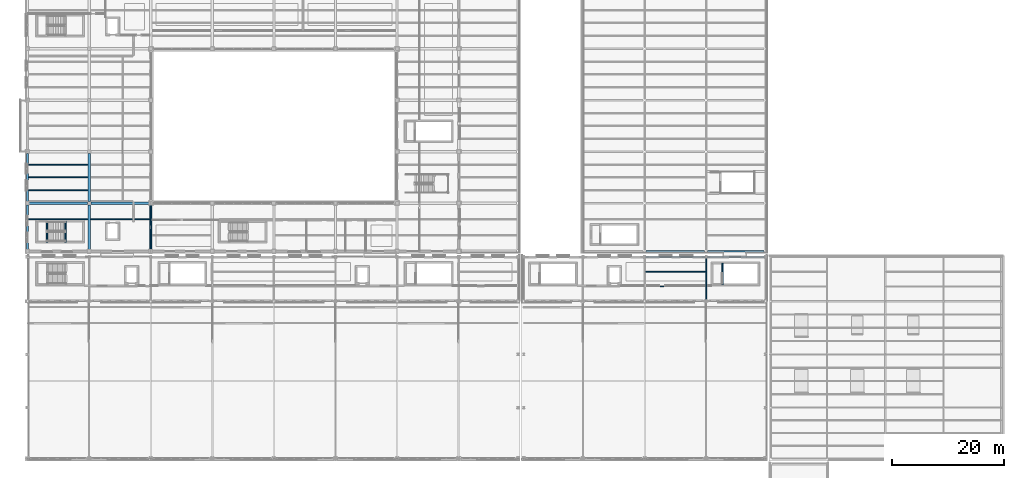
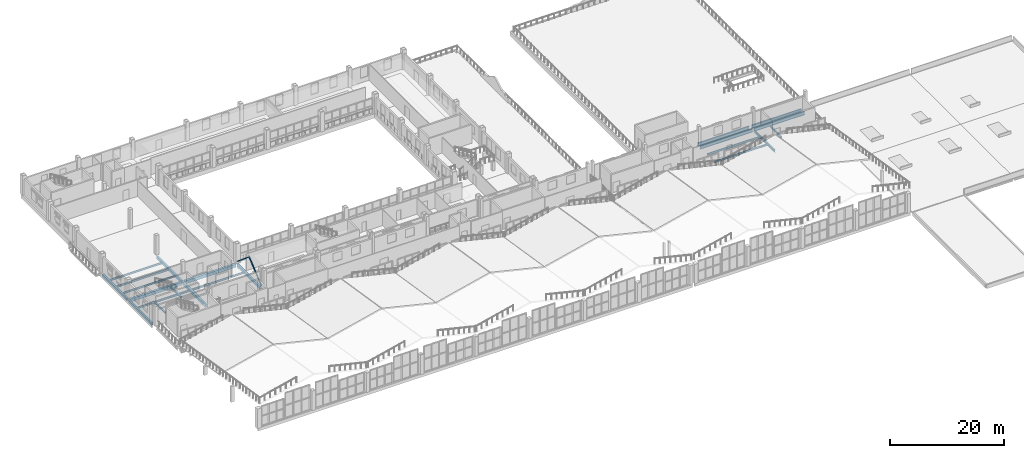
# One storey, part 52 of 120: 22 beams, 2 members.
"""IFC4 building model written with IfcOpenShell, lengths in metres."""

from ifc_helpers import new_model, si_unit, direction, frame, origin, origin_2d, place, context, subcontext, project, spatial, rectangle, hollow_rectangle, i_section, extrude, material, material_profile, profile_set, type_object, element, save


model = new_model("IFC4")

# Units and contexts
model_context = context("Model", 3, precision=1e-05, world=origin(), true_north=direction((0.0, 1.0)))
body_context = subcontext(model_context, "Body", "Model", "MODEL_VIEW")
ifc_project = project(units=[si_unit("LENGTHUNIT", "METRE"), si_unit("AREAUNIT", "SQUARE_METRE"), si_unit("VOLUMEUNIT", "CUBIC_METRE"), si_unit("PLANEANGLEUNIT", "RADIAN"), si_unit("MASSUNIT", "GRAM", prefix="KILO")], contexts=[model_context])

# Site, building, storey
site_placement = place(None, origin())
site = spatial("IfcSite", under=ifc_project, at=site_placement, CompositionType="ELEMENT")
building_placement = place(site_placement, origin())
building = spatial("IfcBuilding", under=site, at=building_placement, Name="Caurita Quay Ferry Terminal", CompositionType="ELEMENT")
storey_placement = place(building_placement, frame((0.0, 0.0, 9.89990234375)))
storey = spatial("IfcBuildingStorey", under=building, at=storey_placement, Name="L02", CompositionType="ELEMENT", Elevation=9.89990234375)

# Beams
ifc_material_1 = material(Name="Structural steel ASTM A992 Gr. 50", Category="steel")
ifc_material_profile_1 = material_profile(ifc_material_1, i_section(OverallWidth=0.25390625, OverallDepth=0.68310546875, WebThickness=0.012451171875, FlangeThickness=0.018798828125, at=origin_2d()), Name="W27X94")
ifc_profile_set_1 = profile_set([ifc_material_profile_1], Name="Structural steel ASTM A992 Gr. 50")
beam_type_1 = type_object("IfcBeamType", Name="BM-GR-W27B", PredefinedType="BEAM", material=ifc_profile_set_1)
beam_1_placement = place(storey_placement, frame((110.3583984375, 70.60009765625, -0.5615234375), z_axis=(1.0, 0.0, 0.0), x_axis=(0.0, 1.0, 0.0)))
element("IfcBeam", 1, at=beam_1_placement, inside=storey, type_object=beam_type_1, Name="L02 Beam BM-V2-L02-X-1104-706", PredefinedType="BEAM", context=body_context, shape_type="SweptSolid", body=[
    extrude(i_section(OverallWidth=0.25390625, OverallDepth=0.68310546875, WebThickness=0.012451171875, FlangeThickness=0.018798828125, at=origin_2d()), origin(), (0.0, 0.0, 1.0), 10.68310546875),
])
beam_2_placement = place(storey_placement, frame((121.3583984375, 70.60009765625, -0.5615234375), z_axis=(1.0, 0.0, 0.0), x_axis=(0.0, 1.0, 0.0)))
element("IfcBeam", 2, at=beam_2_placement, inside=storey, type_object=beam_type_1, Name="L02 Beam BM-V2-L02-X-1214-706", PredefinedType="BEAM", context=body_context, shape_type="SweptSolid", body=[
    extrude(i_section(OverallWidth=0.25390625, OverallDepth=0.68310546875, WebThickness=0.012451171875, FlangeThickness=0.018798828125, at=origin_2d()), origin(), (0.0, 0.0, 1.0), 10.283203125),
])
beam_3_placement = place(storey_placement, frame((110.455078125, 71.60009765625, -0.551513671875), z_axis=(1.0, 0.0, 0.0), x_axis=(0.0, 1.0, 0.0)))
element("IfcBeam", 3, at=beam_3_placement, inside=storey, type_object=beam_type_1, Name="L02 Beam BM-V4W-L02-X-1105-716", PredefinedType="BEAM", context=body_context, shape_type="SweptSolid", body=[
    extrude(i_section(OverallWidth=0.25390625, OverallDepth=0.68310546875, WebThickness=0.012451171875, FlangeThickness=0.018798828125, at=origin_2d()), origin(), (0.0, 0.0, 1.0), 10.489990234375),
])
beam_4_placement = place(storey_placement, frame((121.455078125, 71.60009765625, -0.551513671875), z_axis=(1.0, 0.0, 0.0), x_axis=(0.0, 1.0, 0.0)))
element("IfcBeam", 4, at=beam_4_placement, inside=storey, type_object=beam_type_1, Name="L02 Beam BM-V4W-L02-X-1215-716", PredefinedType="BEAM", context=body_context, shape_type="SweptSolid", body=[
    extrude(i_section(OverallWidth=0.25390625, OverallDepth=0.68310546875, WebThickness=0.012451171875, FlangeThickness=0.018798828125, at=origin_2d()), origin(), (0.0, 0.0, 1.0), 10.08984375),
])
ifc_material_profile_2 = material_profile(ifc_material_1, i_section(OverallWidth=0.1787109375, OverallDepth=0.408935546875, WebThickness=0.0087890625, FlangeThickness=0.014404296875, FilletRadius=0.011474609375, at=origin_2d()), Name="W16X45")
ifc_profile_set_2 = profile_set([ifc_material_profile_2], Name="Structural steel ASTM A992 Gr. 50")
beam_type_2 = type_object("IfcBeamType", Name="BM-JS-W16A", PredefinedType="JOIST", material=ifc_profile_set_2)
for number, where, z_axis, x_axis, name in (
    (5, (0.199951171875, 77.333251953125, -0.42431640625), (1.0, 0.0, 0.0), (0.0, 1.0, 0.0), "L02 Beam JS-V5-L02-001"),
    (6, (0.199951171875, 82.5, -0.42431640625), (1.0, 0.0, 0.0), (0.0, 1.0, 0.0), "L02 Beam JS-V5-L02-002"),
    (7, (0.199951171875, 84.800048828125, -0.42431640625), (1.0, 0.0, 0.0), (0.0, 1.0, 0.0), "L02 Beam JS-V5-L02-003"),
    (8, (0.199951171875, 87.10009765625, -0.42431640625), (1.0, 0.0, 0.0), (0.0, 1.0, 0.0), "L02 Beam JS-V5-L02-004"),
    (9, (11.199951171875, 77.333251953125, -0.42431640625), (1.0, 0.0, 0.0), (0.0, 1.0, 0.0), "L02 Beam JS-V5-L02-012"),
):
    element("IfcBeam", number, at=place(storey_placement, frame(where, z_axis=z_axis, x_axis=x_axis)), inside=storey, type_object=beam_type_2, Name=name, PredefinedType="JOIST", context=body_context, shape_type="SweptSolid", body=[
        extrude(i_section(OverallWidth=0.1787109375, OverallDepth=0.408935546875, WebThickness=0.0087890625, FlangeThickness=0.014404296875, FilletRadius=0.011474609375, at=origin_2d()), origin(), (0.0, 0.0, 1.0), 10.60009765625),
    ])
ifc_material_profile_3 = material_profile(ifc_material_1, i_section(OverallWidth=0.177734375, OverallDepth=0.40380859375, WebThickness=0.007568359375, FlangeThickness=0.010986328125, FilletRadius=0.011474609375, at=origin_2d()), Name="W16X36")
ifc_profile_set_3 = profile_set([ifc_material_profile_3], Name="Structural steel ASTM A992 Gr. 50")
beam_type_3 = type_object("IfcBeamType", Name="BM-JS-W16B", PredefinedType="JOIST", material=ifc_profile_set_3)
for number, where, z_axis, x_axis, name in (
    (10, (110.283203125, 65.333251953125, -0.421875), (1.0, 0.0, 0.0), (0.0, 1.0, 0.0), "L02 Beam JS-V2-L02-002"),
    (11, (110.283203125, 67.966796875, -0.421875), (1.0, 0.0, 0.0), (0.0, 1.0, 0.0), "L02 Beam JS-V2-L02-003"),
):
    element("IfcBeam", number, at=place(storey_placement, frame(where, z_axis=z_axis, x_axis=x_axis)), inside=storey, type_object=beam_type_3, Name=name, PredefinedType="JOIST", context=body_context, shape_type="SweptSolid", body=[
        extrude(i_section(OverallWidth=0.177734375, OverallDepth=0.40380859375, WebThickness=0.007568359375, FlangeThickness=0.010986328125, FilletRadius=0.011474609375, at=origin_2d()), origin(), (0.0, 0.0, 1.0), 10.83349609375),
    ])
ifc_material_2 = material(Name="Reinforced concrete C35/45", Category="concrete")
ifc_material_profile_4 = material_profile(ifc_material_2, rectangle(XDim=0.39990234375, YDim=0.550048828125, at=origin_2d()), Name="RC-BM-400X550")
ifc_profile_set_4 = profile_set([ifc_material_profile_4], Name="Reinforced concrete C35/45")
beam_type_4 = type_object("IfcBeamType", Name="BM-RC-4055", PredefinedType="BEAM", material=ifc_profile_set_4)
beam_5_placement = place(storey_placement, frame((0.0, 71.8974609375, -0.494873046875), z_axis=(0.0, 1.0, 0.0), x_axis=(-1.0, 0.0, 0.0)))
element("IfcBeam", 12, at=beam_5_placement, inside=storey, type_object=beam_type_4, Name="L02 Beam BM-V5-L02-Y-0-719", PredefinedType="BEAM", context=body_context, shape_type="SweptSolid", body=[
    extrude(rectangle(XDim=0.39990234375, YDim=0.550048828125, at=origin_2d()), origin(), (0.0, 0.0, 1.0), 8.005126953125),
])
beam_6_placement = place(storey_placement, frame((0.0, 80.49755859375, -0.494873046875), z_axis=(0.0, 1.0, 0.0), x_axis=(-1.0, 0.0, 0.0)))
element("IfcBeam", 13, at=beam_6_placement, inside=storey, type_object=beam_type_4, Name="L02 Beam BM-V5-L02-Y-0-805", PredefinedType="BEAM", context=body_context, shape_type="SweptSolid", body=[
    extrude(rectangle(XDim=0.39990234375, YDim=0.550048828125, at=origin_2d()), origin(), (0.0, 0.0, 1.0), 8.60498046875),
])
beam_7_placement = place(storey_placement, frame((11.0, 71.8974609375, -0.494873046875), z_axis=(0.0, 1.0, 0.0), x_axis=(-1.0, 0.0, 0.0)))
element("IfcBeam", 14, at=beam_7_placement, inside=storey, type_object=beam_type_4, Name="L02 Beam BM-V5-L02-Y-110-719", PredefinedType="BEAM", context=body_context, shape_type="SweptSolid", body=[
    extrude(rectangle(XDim=0.39990234375, YDim=0.550048828125, at=origin_2d()), origin(), (0.0, 0.0, 1.0), 8.005126953125),
])
beam_8_placement = place(storey_placement, frame((11.0, 80.49755859375, -0.494873046875), z_axis=(0.0, 1.0, 0.0), x_axis=(-1.0, 0.0, 0.0)))
element("IfcBeam", 15, at=beam_8_placement, inside=storey, type_object=beam_type_4, Name="L02 Beam BM-V5-L02-Y-110-805", PredefinedType="BEAM", context=body_context, shape_type="SweptSolid", body=[
    extrude(rectangle(XDim=0.39990234375, YDim=0.550048828125, at=origin_2d()), origin(), (0.0, 0.0, 1.0), 8.60498046875),
])
beam_9_placement = place(storey_placement, frame((22.0, 71.8974609375, -0.494873046875), z_axis=(0.0, 1.0, 0.0), x_axis=(-1.0, 0.0, 0.0)))
element("IfcBeam", 16, at=beam_9_placement, inside=storey, type_object=beam_type_4, Name="L02 Beam BM-V5-L02-Y-220-719", PredefinedType="BEAM", context=body_context, shape_type="SweptSolid", body=[
    extrude(rectangle(XDim=0.39990234375, YDim=0.550048828125, at=origin_2d()), origin(), (0.0, 0.0, 1.0), 8.005126953125),
])
ifc_material_profile_5 = material_profile(ifc_material_2, rectangle(XDim=0.449951171875, YDim=0.64990234375, at=origin_2d()), Name="RC-BM-450X650")
ifc_profile_set_5 = profile_set([ifc_material_profile_5], Name="Reinforced concrete C35/45")
beam_type_5 = type_object("IfcBeamType", Name="BM-RC-4565", PredefinedType="BEAM", material=ifc_profile_set_5)
for number, where, z_axis, x_axis, name in (
    (17, (0.297607421875, 80.199951171875, -0.544921875), (1.0, 0.0, 0.0), (0.0, 1.0, 0.0), "L02 Beam BM-V5-L02-X-3-802"),
    (18, (11.297607421875, 80.199951171875, -0.544921875), (1.0, 0.0, 0.0), (0.0, 1.0, 0.0), "L02 Beam BM-V5-L02-X-113-802"),
):
    element("IfcBeam", number, at=place(storey_placement, frame(where, z_axis=z_axis, x_axis=x_axis)), inside=storey, type_object=beam_type_5, Name=name, PredefinedType="BEAM", context=body_context, shape_type="SweptSolid", body=[
        extrude(rectangle(XDim=0.449951171875, YDim=0.64990234375, at=origin_2d()), origin(), (0.0, 0.0, 1.0), 10.40478515625),
    ])
ifc_material_profile_6 = material_profile(ifc_material_1, i_section(OverallWidth=0.16650390625, OverallDepth=0.535888671875, WebThickness=0.01025390625, FlangeThickness=0.0166015625, FilletRadius=0.013916015625, at=origin_2d()), Name="W21X57")
ifc_profile_set_6 = profile_set([ifc_material_profile_6], Name="Structural steel ASTM A992 Gr. 50")
beam_type_6 = type_object("IfcBeamType", Name="BM-SP-W21B", PredefinedType="SPANDREL", material=ifc_profile_set_6)
beam_10_placement = place(storey_placement, frame((121.199951171875, 62.916015625, -0.48779296875), z_axis=(0.0, 1.0, 0.0), x_axis=(-1.0, 0.0, 0.0)))
element("IfcBeam", 19, at=beam_10_placement, inside=storey, type_object=beam_type_6, Name="L02 Beam BM-V2-L02-Y-1212-629", PredefinedType="SPANDREL", context=body_context, shape_type="SweptSolid", body=[
    extrude(i_section(OverallWidth=0.16650390625, OverallDepth=0.535888671875, WebThickness=0.01025390625, FlangeThickness=0.0166015625, FilletRadius=0.013916015625, at=origin_2d()), origin(), (0.0, 0.0, 1.0), 7.527587890625),
])
ifc_material_profile_7 = material_profile(ifc_material_2, rectangle(XDim=0.25, YDim=0.300048828125, at=origin_2d()), Name="RC-LN-250X300")
ifc_profile_set_7 = profile_set([ifc_material_profile_7], Name="Reinforced concrete C35/45")
beam_type_7 = type_object("IfcBeamType", Name="LN-RC-2530", PredefinedType="LINTEL", material=ifc_profile_set_7)
beam_11_placement = place(storey_placement, frame((3.449951171875, 73.25, -0.14990234375), z_axis=(0.0, 1.0, 0.0), x_axis=(-1.0, 0.0, 0.0)))
element("IfcBeam", 20, at=beam_11_placement, inside=storey, type_object=beam_type_7, Name="L02 Stair ST-02 Landing Trimmer Beam", PredefinedType="LINTEL", context=body_context, shape_type="SweptSolid", body=[
    extrude(rectangle(XDim=0.25, YDim=0.300048828125, at=origin_2d()), origin(), (0.0, 0.0, 1.0), 3.760009765625),
])
beam_12_placement = place(storey_placement, frame((124.10009765625, 65.64990234375, -0.14990234375), z_axis=(0.0, 1.0, 0.0), x_axis=(-1.0, 0.0, 0.0)))
element("IfcBeam", 21, at=beam_12_placement, inside=storey, type_object=beam_type_7, Name="L02 Stair ST-09 Landing Trimmer Beam", PredefinedType="LINTEL", context=body_context, shape_type="SweptSolid", body=[
    extrude(rectangle(XDim=0.25, YDim=0.300048828125, at=origin_2d()), origin(), (0.0, 0.0, 1.0), 3.860107421875),
])
ifc_material_profile_8 = material_profile(ifc_material_2, rectangle(XDim=0.300048828125, YDim=0.35009765625, at=origin_2d()), Name="RC-LN-300X350")
ifc_profile_set_8 = profile_set([ifc_material_profile_8], Name="Reinforced concrete C35/45")
beam_type_8 = type_object("IfcBeamType", Name="LN-RC-3035", PredefinedType="LINTEL", material=ifc_profile_set_8)
beam_13_placement = place(storey_placement, frame((6.75, 73.25, 1.925048828125), z_axis=(0.0, 1.0, 0.0), x_axis=(-1.0, 0.0, 0.0)))
element("IfcBeam", 22, at=beam_13_placement, inside=storey, type_object=beam_type_8, Name="L02 Stair ST-02 Half-Landing Beam 1", PredefinedType="LINTEL", context=body_context, shape_type="SweptSolid", body=[
    extrude(rectangle(XDim=0.300048828125, YDim=0.35009765625, at=origin_2d()), origin(), (0.0, 0.0, 1.0), 3.760009765625),
])

# Members
ifc_material_3 = material(Name="Hollow structural steel ASTM A500 Gr. C", Category="steel")
ifc_material_profile_9 = material_profile(ifc_material_3, hollow_rectangle(XDim=0.203125, YDim=0.203125, WallThickness=0.0087890625, InnerFilletRadius=0.0087890625, OuterFilletRadius=0.017822265625, at=origin_2d()), Name="HSS8X8X3/8")
ifc_profile_set_9 = profile_set([ifc_material_profile_9], Name="Hollow structural steel ASTM A500 Gr. C")
member_type = type_object("IfcMemberType", Name="MEM-BRC-08", PredefinedType="BRACE", material=ifc_profile_set_9)
member_1_placement = place(storey_placement, frame((22.0, 71.60009765625, 0.1201171875), z_axis=(0.0, 0.765877884171, 0.642986054699), x_axis=(-1.0, 0.0, 0.0)))
element("IfcMember", 23, at=member_1_placement, inside=storey, type_object=member_type, Name="L02 Chevron Seismic Brace 19A", PredefinedType="BRACE", context=body_context, shape_type="SweptSolid", body=[
    extrude(hollow_rectangle(XDim=0.203125, YDim=0.203125, WallThickness=0.0087890625, InnerFilletRadius=0.0087890625, OuterFilletRadius=0.017822265625, at=origin_2d()), origin(), (0.0, 0.0, 1.0), 5.6142578125),
])
member_2_placement = place(storey_placement, frame((22.0, 80.199951171875, 0.1201171875), z_axis=(0.0, -0.765895861794, 0.642964640464), x_axis=(1.0, 0.0, 0.0)))
element("IfcMember", 24, at=member_2_placement, inside=storey, type_object=member_type, Name="L02 Chevron Seismic Brace 19B", PredefinedType="BRACE", context=body_context, shape_type="SweptSolid", body=[
    extrude(hollow_rectangle(XDim=0.203125, YDim=0.203125, WallThickness=0.0087890625, InnerFilletRadius=0.0087890625, OuterFilletRadius=0.017822265625, at=origin_2d()), origin(), (0.0, 0.0, 1.0), 5.614501953125),
])

save(model, "model.ifc")
